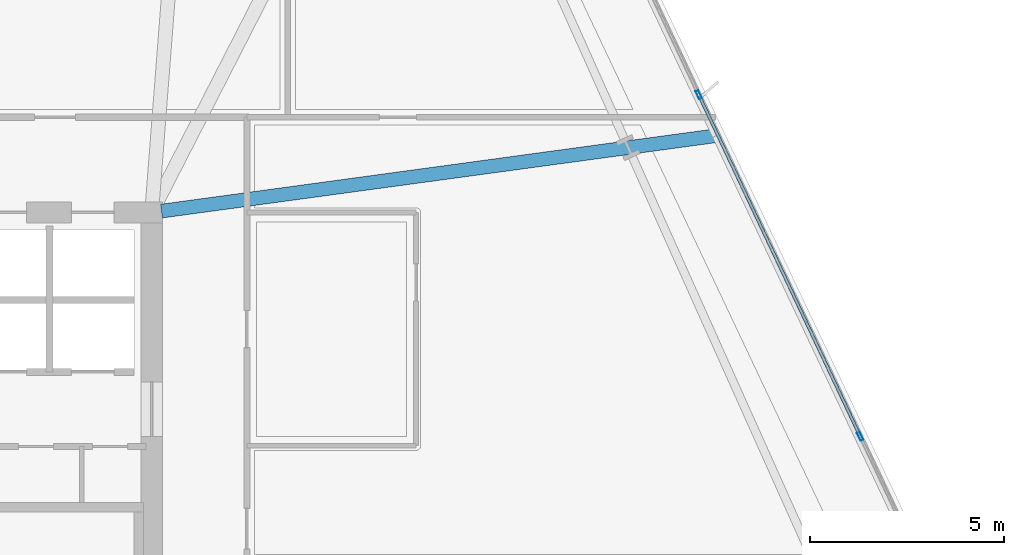
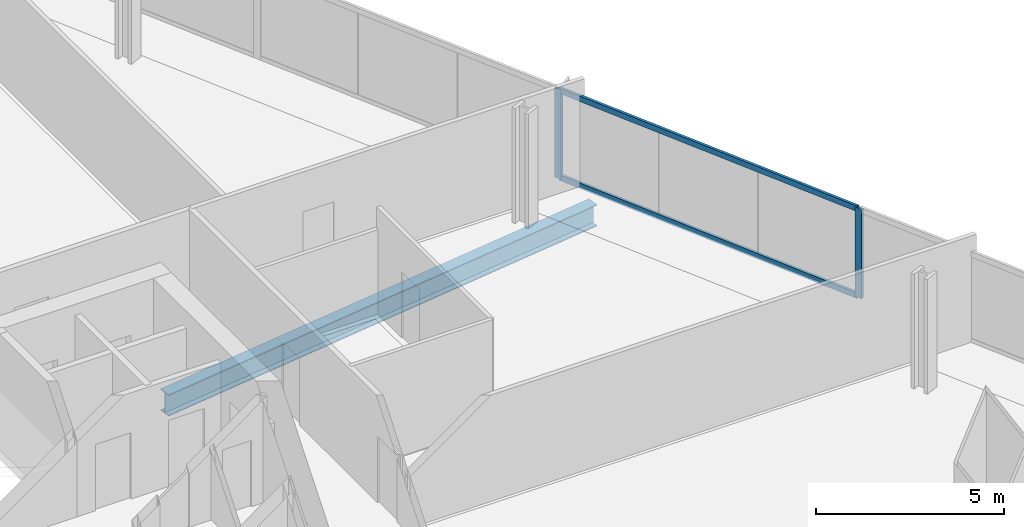
# One storey, part 20 of 34: 4 members, 1 beam, 1 element without a shape of its own.
"""IFC4 building model written with IfcOpenShell, lengths in metres."""

from ifc_helpers import new_model, si_unit, direction, frame, origin, origin_2d, place, context, subcontext, project, spatial, hollow_rectangle, i_section, extrude, material, material_profile, profile_set, type_object, element, aggregate, save


model = new_model("IFC4")

# Units and contexts
model_context = context("Model", 3, precision=1e-05, world=origin(), true_north=direction((0.0, 1.0)))
body_context = subcontext(model_context, "Body", "Model", "MODEL_VIEW")
ifc_project = project(units=[si_unit("LENGTHUNIT", "METRE"), si_unit("AREAUNIT", "SQUARE_METRE"), si_unit("VOLUMEUNIT", "CUBIC_METRE"), si_unit("PLANEANGLEUNIT", "RADIAN"), si_unit("MASSUNIT", "GRAM", prefix="KILO")], contexts=[model_context])

# Site, building, storey
site_placement = place(None, origin())
site = spatial("IfcSite", under=ifc_project, at=site_placement, CompositionType="ELEMENT")
building_placement = place(site_placement, origin())
building = spatial("IfcBuilding", under=site, at=building_placement, Name="Haldenkirk Collegiate Tower", CompositionType="ELEMENT")
storey_placement = place(building_placement, frame((0.0, 0.0, 112.949951171875)))
storey = spatial("IfcBuildingStorey", under=building, at=storey_placement, Name="L27", CompositionType="ELEMENT", Elevation=112.949951171875)

# Beam
ifc_material_1 = material(Name="Steel ASTM A992 Grade 50", Category="steel")
ifc_material_profile_1 = material_profile(ifc_material_1, i_section(OverallWidth=0.35498046875, OverallDepth=0.696044921875, WebThickness=0.015380859375, FlangeThickness=0.02490234375, at=origin_2d()), Name="W27X146")
ifc_profile_set_1 = profile_set([ifc_material_profile_1], Name="Steel ASTM A992 Grade 50")
beam_type = type_object("IfcBeamType", Name="BM-GIRDER-W27X146", PredefinedType="BEAM", material=ifc_profile_set_1)
beam_placement = place(storey_placement, frame((59.523193359375, 35.9755859375, -0.64794921875), z_axis=(-0.990874883282, -0.134784886693, 0.0), x_axis=(0.134784886693, -0.990874883282, 0.0)))
element("IfcBeam", 1, at=beam_placement, inside=storey, type_object=beam_type, Name="L27 primary floor girder 09", PredefinedType="BEAM", context=body_context, shape_type="SweptSolid", body=[
    extrude(i_section(OverallWidth=0.35498046875, OverallDepth=0.696044921875, WebThickness=0.015380859375, FlangeThickness=0.02490234375, at=origin_2d()), origin(), (0.0, 0.0, 1.0), 14.40185546875),
])

# Curtain wall, members
ifc_material_2 = material(Name="Anodised architectural bronze aluminium", Category="aluminium")
curtain_wall_type = type_object("IfcCurtainWallType", Name="CW-SYS1-CONVEX-LOW", PredefinedType="USERDEFINED", material=ifc_material_2)
curtain_wall_placement = place(storey_placement, origin())
curtain_wall = element("IfcCurtainWall", 2, at=curtain_wall_placement, inside=storey, type_object=curtain_wall_type, Name="L27 Lower tower convex bronze-framed unitised curtain wall", ObjectType="UNITISED CURTAIN WALL", PredefinedType="USERDEFINED")
ifc_material_profile_2 = material_profile(ifc_material_2, hollow_rectangle(XDim=0.080078125, YDim=0.219970703125, WallThickness=0.0048828125, at=origin_2d()), Name="CW-MUL-1A")
ifc_profile_set_2 = profile_set([ifc_material_profile_2], Name="Anodised architectural bronze aluminium")
member_type_1 = type_object("IfcMemberType", Name="CW-MUL-1A", PredefinedType="MULLION", material=ifc_profile_set_2)
member_1_placement = place(storey_placement, frame((59.0693359375, 37.029296875, 0.0), z_axis=(0.0, 0.0, 1.0), x_axis=(0.904082873954, 0.427357177338, 0.0)))
member_1 = element("IfcMember", 3, at=member_1_placement, type_object=member_type_1, Name="CW-1A mullion 3", PredefinedType="MULLION", context=body_context, shape_type="SweptSolid", body=[
    extrude(hollow_rectangle(XDim=0.080078125, YDim=0.219970703125, WallThickness=0.0048828125, at=origin_2d()), origin(), (0.0, 0.0, 1.0), 2.901123046875),
])
member_2_placement = place(storey_placement, frame((63.22265625, 28.24267578125, 0.0), z_axis=(0.0, 0.0, 1.0), x_axis=(0.904082873954, 0.427357177338, 0.0)))
member_2 = element("IfcMember", 4, at=member_2_placement, type_object=member_type_1, Name="CW-1A mullion 4", PredefinedType="MULLION", context=body_context, shape_type="SweptSolid", body=[
    extrude(hollow_rectangle(XDim=0.080078125, YDim=0.219970703125, WallThickness=0.0048828125, at=origin_2d()), origin(), (0.0, 0.0, 1.0), 2.901123046875),
])
ifc_material_profile_3 = material_profile(ifc_material_2, hollow_rectangle(XDim=0.080078125, YDim=0.179931640625, WallThickness=0.0048828125, at=origin_2d()), Name="CW-TRN-1A")
ifc_profile_set_3 = profile_set([ifc_material_profile_3], Name="Anodised architectural bronze aluminium")
member_type_2 = type_object("IfcMemberType", Name="CW-TRN-1A", PredefinedType="USERDEFINED", material=ifc_profile_set_3)
member_3_placement = place(storey_placement, frame((59.08642578125, 36.9931640625, 0.0400390625), z_axis=(0.42734799837, -0.904087212767, 0.0), x_axis=(0.904087212767, 0.42734799837, 0.0)))
member_3 = element("IfcMember", 5, at=member_3_placement, type_object=member_type_2, Name="CW-1A transom 3.1", ObjectType="TRANSOM", PredefinedType="USERDEFINED", context=body_context, shape_type="SweptSolid", body=[
    extrude(hollow_rectangle(XDim=0.080078125, YDim=0.179931640625, WallThickness=0.0048828125, at=origin_2d()), origin(), (0.0, 0.0, 1.0), 9.638916015625),
])
member_4_placement = place(storey_placement, frame((59.08642578125, 36.9931640625, 2.861083984375), z_axis=(0.42734799837, -0.904087212767, 0.0), x_axis=(0.904087212767, 0.42734799837, 0.0)))
member_4 = element("IfcMember", 6, at=member_4_placement, type_object=member_type_2, Name="CW-1A transom 3.2", ObjectType="TRANSOM", PredefinedType="USERDEFINED", context=body_context, shape_type="SweptSolid", body=[
    extrude(hollow_rectangle(XDim=0.080078125, YDim=0.179931640625, WallThickness=0.0048828125, at=origin_2d()), origin(), (0.0, 0.0, 1.0), 9.638916015625),
])
aggregate(curtain_wall, [member_1, member_2, member_3, member_4])

save(model, "model.ifc")
